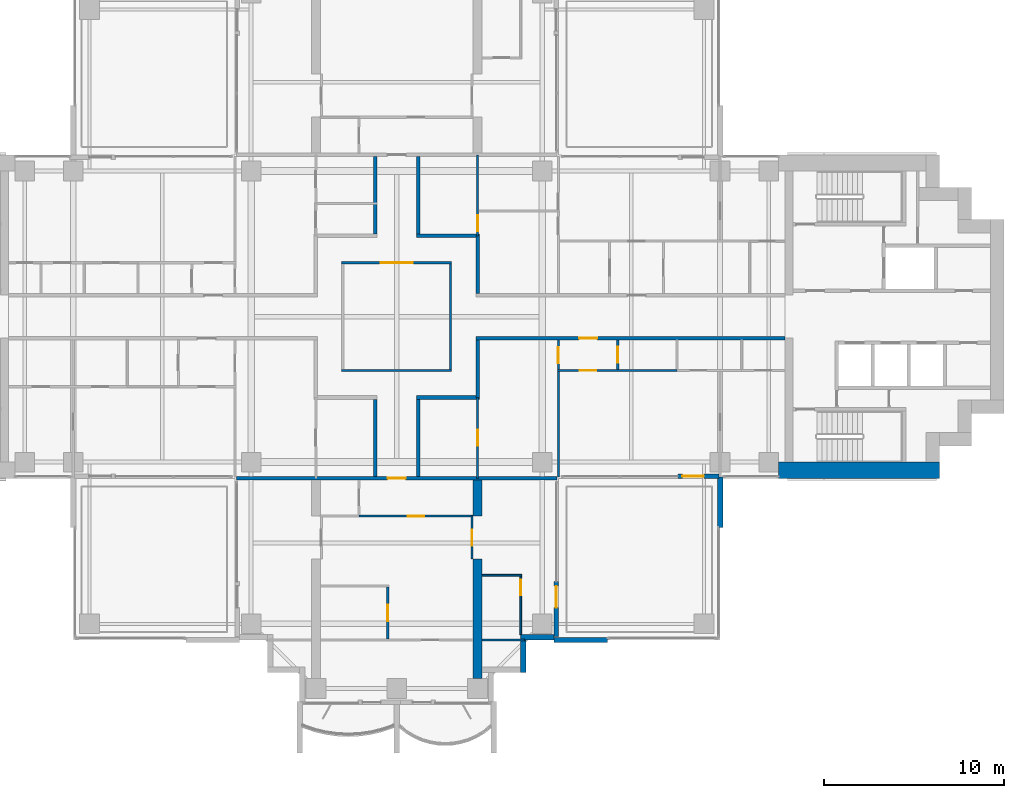
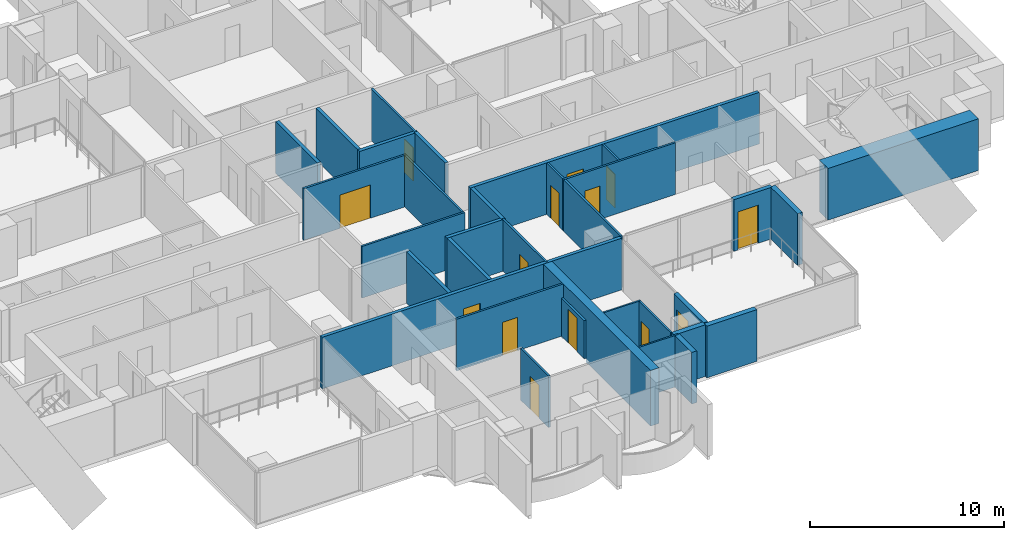
# One storey, part 11 of 19: 32 walls, 14 doors, 14 openings.
"""IFC4 building model written with IfcOpenShell, lengths in metres."""

from ifc_helpers import new_model, si_unit, direction, frame, frame_2d, origin, place, context, subcontext, project, spatial, polyline, rectangle, outline, extrude, material, layer, layer_set, material_profile, profile_set, type_object, element, fill, save


model = new_model("IFC4")

# Units and contexts
model_context = context("Model", 3, precision=1e-05, world=origin(), true_north=direction((0.0, 1.0)))
body_context = subcontext(model_context, "Body", "Model", "MODEL_VIEW")
ifc_project = project(units=[si_unit("LENGTHUNIT", "METRE"), si_unit("AREAUNIT", "SQUARE_METRE"), si_unit("VOLUMEUNIT", "CUBIC_METRE"), si_unit("PLANEANGLEUNIT", "RADIAN"), si_unit("MASSUNIT", "GRAM", prefix="KILO")], contexts=[model_context])

# Site, building, storey
site_placement = place(None, origin())
site = spatial("IfcSite", under=ifc_project, at=site_placement, CompositionType="ELEMENT")
building_placement = place(site_placement, origin())
building = spatial("IfcBuilding", under=site, at=building_placement, Name="Perihelion Cross Residences", CompositionType="ELEMENT")
storey_placement = place(building_placement, frame((0.0, 0.0, 126.89990234375)))
storey = spatial("IfcBuildingStorey", under=building, at=storey_placement, Name="L30", CompositionType="ELEMENT", Elevation=126.89990234375)

# Walls
ifc_material_1 = material(Name="Plasterboard partition")
ifc_layer_1 = layer(ifc_material_1, 0.199951171875)
ifc_layer_set_1 = layer_set([ifc_layer_1], Name="Apartment separation wall 200")
wall_type_1 = type_object("IfcWallType", Name="Apartment separation wall 200", PredefinedType="PARTITIONING", material=ifc_layer_set_1)
wall_1_placement = place(storey_placement, frame((4.5, 4.5, 0.0), z_axis=(0.0, 0.0, 1.0), x_axis=(0.0, -1.0, 0.0)))
element("IfcWall", 1, at=wall_1_placement, inside=storey, type_object=wall_type_1, Name="Partition L30 W006", PredefinedType="PARTITIONING", context=body_context, shape_type="SweptSolid", body=[
    extrude(rectangle(XDim=3.199951171875, YDim=0.199951171875, at=frame_2d((1.60009765625, 0.0))), origin(), (0.0, 0.0, 1.0), 3.25),
])
wall_2_placement = place(storey_placement, frame((1.199951171875, 8.89990234375, 0.0), z_axis=(0.0, 0.0, 1.0), x_axis=(0.0, -1.0, 0.0)))
element("IfcWall", 2, at=wall_2_placement, inside=storey, type_object=wall_type_1, Name="Partition L30 W007", PredefinedType="PARTITIONING", context=body_context, shape_type="SweptSolid", body=[
    extrude(rectangle(XDim=4.2998046875, YDim=0.199951171875, at=frame_2d((2.14990234375, 0.0))), origin(), (0.0, 0.0, 1.0), 3.25),
])
wall_3_placement = place(storey_placement, frame((1.10009765625, 4.5, 0.0), z_axis=(0.0, 0.0, 1.0), x_axis=(1.0, 0.0, 0.0)))
element("IfcWall", 3, at=wall_3_placement, inside=storey, type_object=wall_type_1, Name="Partition L30 W008", PredefinedType="PARTITIONING", context=body_context, shape_type="SweptSolid", body=[
    extrude(rectangle(XDim=3.5, YDim=0.199951171875, at=frame_2d((1.75, 0.0))), origin(), (0.0, 0.0, 1.0), 3.25),
])

# Wall, opening, door
wall_4_placement = place(storey_placement, frame((21.60009765625, -1.199951171875, 0.0), z_axis=(0.0, 0.0, 1.0), x_axis=(-1.0, 0.0, 0.0)))
wall_4 = element("IfcWall", 4, at=wall_4_placement, inside=storey, type_object=wall_type_1, Name="Partition L30 W009", PredefinedType="PARTITIONING", context=body_context, shape_type="SweptSolid", body=[
    extrude(rectangle(XDim=17.2001953125, YDim=0.199951171875, at=frame_2d((8.60009765625, 0.0))), origin(), (0.0, 0.0, 1.0), 3.25),
])
opening_1_placement = place(wall_4_placement, frame((10.449951171875, 0.0, 0.0)))
opening_1 = element("IfcOpeningElement", 5, at=opening_1_placement, cuts=wall_4, Name="Opening L30.A46", PredefinedType="OPENING", context=body_context, shape_type="SweptSolid", body=[
    extrude(rectangle(XDim=1.0, YDim=2.10009765625, at=frame_2d((0.5, 1.050048828125))), frame((0.0, 0.10986328125, 0.0), z_axis=(0.0, -1.0, 0.0), x_axis=(1.0, 0.0, 0.0)), (0.0, 0.0, 1.0), 0.219970703125),
])
ifc_material_2 = material(Name="Timber door leaf", Category="wood")
door_type_1 = type_object("IfcDoorType", Name="Flat entrance door 1000 x 2100", OperationType="SINGLE_SWING_LEFT", PredefinedType="DOOR", material=ifc_material_2)
door_1_placement = place(opening_1_placement, origin())
door_1 = element("IfcDoor", 6, at=door_1_placement, inside=storey, type_object=door_type_1, Name="Door L30.A46", OperationType="SINGLE_SWING_RIGHT", OverallHeight=2.10009765625, OverallWidth=1.0, PredefinedType="DOOR", context=body_context, shape_type="SweptSolid", body=[
    extrude(rectangle(XDim=1.0, YDim=2.10009765625, at=frame_2d((0.5, 1.050048828125))), frame((0.0, 0.02490234375, 0.0), z_axis=(0.0, -1.0, 0.0), x_axis=(1.0, 0.0, 0.0)), (0.0, 0.0, 1.0), 0.050048828125),
])
fill(opening_1, door_1)

# Walls
wall_5_placement = place(storey_placement, frame((4.5, -1.300048828125, 0.0), z_axis=(0.0, 0.0, 1.0), x_axis=(0.0, -1.0, 0.0)))
element("IfcWall", 7, at=wall_5_placement, inside=storey, type_object=wall_type_1, Name="Partition L30 W010", PredefinedType="PARTITIONING", context=body_context, shape_type="SweptSolid", body=[
    extrude(rectangle(XDim=3.199951171875, YDim=0.199951171875, at=frame_2d((1.60009765625, 0.0))), origin(), (0.0, 0.0, 1.0), 3.25),
])
wall_6_placement = place(storey_placement, frame((4.60009765625, -4.5, 0.0), z_axis=(0.0, 0.0, 1.0), x_axis=(-1.0, 0.0, 0.0)))
element("IfcWall", 8, at=wall_6_placement, inside=storey, type_object=wall_type_1, Name="Partition L30 W011", PredefinedType="PARTITIONING", context=body_context, shape_type="SweptSolid", body=[
    extrude(rectangle(XDim=3.5, YDim=0.199951171875, at=frame_2d((1.75, 0.0))), origin(), (0.0, 0.0, 1.0), 3.25),
])
for number, where, z_axis, x_axis, name in (
    (9, (1.199951171875, -4.60009765625, 0.0), (0.0, 0.0, 1.0), (0.0, -1.0, 0.0), "Partition L30 W012"),
    (10, (-1.199951171875, 4.60009765625, 0.0), (0.0, 0.0, 1.0), (0.0, 1.0, 0.0), "Partition L30 W016"),
    (11, (-1.199951171875, -8.89990234375, 0.0), (0.0, 0.0, 1.0), (0.0, 1.0, 0.0), "Partition L30 W019"),
):
    element("IfcWall", number, at=place(storey_placement, frame(where, z_axis=z_axis, x_axis=x_axis)), inside=storey, type_object=wall_type_1, Name=name, PredefinedType="PARTITIONING", context=body_context, shape_type="SweptSolid", body=[
        extrude(rectangle(XDim=4.2998046875, YDim=0.199951171875, at=frame_2d((2.14990234375, 0.0))), origin(), (0.0, 0.0, 1.0), 3.25),
    ])

# Wall, opening, door
wall_7_placement = place(storey_placement, frame((8.919921875, -9.0, 0.0), z_axis=(0.0, 0.0, 1.0), x_axis=(-1.0, 0.0, 0.0)))
wall_7 = element("IfcWall", 12, at=wall_7_placement, inside=storey, type_object=wall_type_1, Name="Partition L30 W022", PredefinedType="PARTITIONING", context=body_context, shape_type="SweptSolid", body=[
    extrude(rectangle(XDim=17.83984375, YDim=0.199951171875, at=frame_2d((8.919921875, 0.0))), origin(), (0.0, 0.0, 1.0), 3.25),
])
opening_2_placement = place(wall_7_placement, frame((8.419921875, 0.0, 0.0)))
opening_2 = element("IfcOpeningElement", 13, at=opening_2_placement, cuts=wall_7, Name="Opening L30.A39", PredefinedType="OPENING", context=body_context, shape_type="SweptSolid", body=[
    extrude(rectangle(XDim=1.0, YDim=2.10009765625, at=frame_2d((0.5, 1.050048828125))), frame((0.0, 0.10986328125, 0.0), z_axis=(0.0, -1.0, 0.0), x_axis=(1.0, 0.0, 0.0)), (0.0, 0.0, 1.0), 0.219970703125),
])
door_2_placement = place(opening_2_placement, origin())
door_2 = element("IfcDoor", 14, at=door_2_placement, inside=storey, type_object=door_type_1, Name="Door L30.A39", OperationType="SINGLE_SWING_LEFT", OverallHeight=2.10009765625, OverallWidth=1.0, PredefinedType="DOOR", context=body_context, shape_type="SweptSolid", body=[
    extrude(rectangle(XDim=1.0, YDim=2.10009765625, at=frame_2d((0.5, 1.050048828125))), frame((0.0, 0.02490234375, 0.0), z_axis=(0.0, -1.0, 0.0), x_axis=(1.0, 0.0, 0.0)), (0.0, 0.0, 1.0), 0.050048828125),
])
fill(opening_2, door_2)

ifc_material_3 = material(Name="Concrete C30/37, bronze-clad", Category="concrete")
ifc_layer_2 = layer(ifc_material_3, 0.25)
ifc_layer_set_2 = layer_set([ifc_layer_2], Name="Bronze-clad pier wall 250")
wall_type_2 = type_object("IfcWallType", Name="Bronze-clad pier wall 250", PredefinedType="SOLIDWALL", material=ifc_layer_set_2)
wall_8_placement = place(storey_placement, frame((8.875, -17.800048828125, 0.0), z_axis=(0.0, 0.0, 1.0), x_axis=(0.0, 1.0, 0.0)))
wall_8 = element("IfcWall", 15, at=wall_8_placement, inside=storey, type_object=wall_type_2, Name="Wall FW1 L30 south side east bay 1 pier", PredefinedType="SOLIDWALL", context=body_context, shape_type="SweptSolid", body=[
    extrude(rectangle(XDim=3.050048828125, YDim=0.25, at=frame_2d((1.52490234375, 0.0))), origin(), (0.0, 0.0, 1.0), 3.25),
])
opening_3_placement = place(wall_8_placement, frame((1.60009765625, 0.0, 0.0)))
opening_3 = element("IfcOpeningElement", 16, at=opening_3_placement, cuts=wall_8, Name="Opening L30.E13", PredefinedType="OPENING", context=body_context, shape_type="SweptSolid", body=[
    extrude(rectangle(XDim=1.199951171875, YDim=2.39990234375, at=frame_2d((0.60009765625, 1.199951171875))), frame((0.0, 0.135009765625, 0.0), z_axis=(0.0, -1.0, 0.0), x_axis=(1.0, 0.0, 0.0)), (0.0, 0.0, 1.0), 0.27001953125),
])
ifc_material_4 = material(Name="Bronze anodised aluminium, glazed", Category="aluminium")
door_type_2 = type_object("IfcDoorType", Name="Balcony door 1200 x 2400", OperationType="NOTDEFINED", PredefinedType="DOOR", material=ifc_material_4)
door_3_placement = place(opening_3_placement, origin())
door_3 = element("IfcDoor", 17, at=door_3_placement, inside=storey, type_object=door_type_2, Name="Door L30.E13 south side east bay 1", OperationType="SINGLE_SWING_RIGHT", OverallHeight=2.39990234375, OverallWidth=1.199951171875, PredefinedType="DOOR", context=body_context, shape_type="SweptSolid", body=[
    extrude(rectangle(XDim=1.199951171875, YDim=2.39990234375, at=frame_2d((0.60009765625, 1.199951171875))), frame((0.0, 0.02490234375, 0.0), z_axis=(0.0, -1.0, 0.0), x_axis=(1.0, 0.0, 0.0)), (0.0, 0.0, 1.0), 0.050048828125),
])
fill(opening_3, door_3)

wall_9_placement = place(storey_placement, frame((15.64990234375, -8.875, 0.0), z_axis=(0.0, 0.0, 1.0), x_axis=(1.0, 0.0, 0.0)))
wall_9 = element("IfcWall", 18, at=wall_9_placement, inside=storey, type_object=wall_type_2, Name="Wall FW1 L30 east side south bay 1 pier", PredefinedType="SOLIDWALL", context=body_context, shape_type="SweptSolid", body=[
    extrude(rectangle(XDim=2.2900390625, YDim=0.25, at=frame_2d((1.14501953125, 0.0))), origin(), (0.0, 0.0, 1.0), 3.25),
])
opening_4_placement = place(wall_9_placement, frame((0.25, 0.0, 0.0)))
opening_4 = element("IfcOpeningElement", 19, at=opening_4_placement, cuts=wall_9, Name="Opening L30.E14", PredefinedType="OPENING", context=body_context, shape_type="SweptSolid", body=[
    extrude(rectangle(XDim=1.199951171875, YDim=2.39990234375, at=frame_2d((0.60009765625, 1.199951171875))), frame((0.0, 0.135009765625, 0.0), z_axis=(0.0, -1.0, 0.0), x_axis=(1.0, 0.0, 0.0)), (0.0, 0.0, 1.0), 0.27001953125),
])
door_4_placement = place(opening_4_placement, origin())
door_4 = element("IfcDoor", 20, at=door_4_placement, inside=storey, type_object=door_type_2, Name="Door L30.E14 east side south bay 1", OperationType="SINGLE_SWING_LEFT", OverallHeight=2.39990234375, OverallWidth=1.199951171875, PredefinedType="DOOR", context=body_context, shape_type="SweptSolid", body=[
    extrude(rectangle(XDim=1.199951171875, YDim=2.39990234375, at=frame_2d((0.60009765625, 1.199951171875))), frame((0.0, 0.02490234375, 0.0), z_axis=(0.0, -1.0, 0.0), x_axis=(1.0, 0.0, 0.0)), (0.0, 0.0, 1.0), 0.050048828125),
])
fill(opening_4, door_4)

# Walls
ifc_material_5 = material(Name="Concrete C30/37, bronze-clad", Category="concrete")
ifc_layer_3 = layer(ifc_material_5, 0.300048828125)
ifc_layer_set_3 = layer_set([ifc_layer_3], Name="Bronze-clad serration wall 300")
wall_type_3 = type_object("IfcWallType", Name="Bronze-clad serration wall 300", PredefinedType="SOLIDWALL", material=ifc_layer_set_3)
wall_10_placement = place(storey_placement, frame((7.050048828125, -19.800048828125, 0.0), z_axis=(0.0, 0.0, 1.0), x_axis=(0.0, 1.0, 0.0)))
element("IfcWall", 21, at=wall_10_placement, inside=storey, type_object=wall_type_3, Name="Wall SR1 L30 south corner south-east 3", PredefinedType="SOLIDWALL", context=body_context, shape_type="SweptSolid", body=[
    extrude(rectangle(XDim=1.800048828125, YDim=0.300048828125, at=frame_2d((0.89990234375, 0.0))), origin(), (0.0, 0.0, 1.0), 3.25),
])
wall_11_placement = place(storey_placement, frame((6.89990234375, -17.85009765625, 0.0), z_axis=(0.0, 0.0, 1.0), x_axis=(1.0, 0.0, 0.0)))
element("IfcWall", 22, at=wall_11_placement, inside=storey, type_object=wall_type_3, Name="Wall SR1 L30 south corner south-east 4", PredefinedType="SOLIDWALL", context=body_context, shape_type="SweptSolid", body=[
    extrude(rectangle(XDim=1.85009765625, YDim=0.300048828125, at=frame_2d((0.925048828125, 0.0))), origin(), (0.0, 0.0, 1.0), 3.25),
])
ifc_material_6 = material(Name="Concrete C60/75", Category="concrete")
ifc_layer_4 = layer(ifc_material_6, 0.89990234375)
ifc_layer_set_4 = layer_set([ifc_layer_4], Name="Core wall, outer 900")
wall_type_4 = type_object("IfcWallType", Name="Core wall, outer 900", PredefinedType="SHEAR", material=ifc_layer_set_4)
wall_12_placement = place(storey_placement, frame((21.25, -8.550048828125, 0.0), z_axis=(0.0, 0.0, 1.0), x_axis=(1.0, 0.0, 0.0)))
element("IfcWall", 23, at=wall_12_placement, inside=storey, type_object=wall_type_4, Name="East core core wall, outer", PredefinedType="SHEAR", context=body_context, shape_type="SweptSolid", body=[
    extrude(rectangle(XDim=8.949951171875, YDim=0.89990234375, at=frame_2d((4.47509765625, 0.0))), origin(), (0.0, 0.0, 1.0), 3.25),
])

# Wall, opening, door
ifc_material_7 = material(Name="Plasterboard partition")
ifc_layer_5 = layer(ifc_material_7, 0.1201171875)
ifc_layer_set_5 = layer_set([ifc_layer_5], Name="Infill panel 120")
wall_type_5 = type_object("IfcWallType", Name="Infill panel 120", PredefinedType="PARTITIONING", material=ifc_layer_set_5)
wall_13_placement = place(storey_placement, frame((4.18994140625, -11.10009765625, 0.0), z_axis=(0.0, 0.0, 1.0), x_axis=(0.0, -1.0, 0.0)))
wall_13 = element("IfcWall", 24, at=wall_13_placement, inside=storey, type_object=wall_type_5, Name="Partition L30 WI05", PredefinedType="PARTITIONING", context=body_context, shape_type="SweptSolid", body=[
    extrude(rectangle(XDim=2.39990234375, YDim=0.1201171875, at=frame_2d((1.199951171875, 0.0))), origin(), (0.0, 0.0, 1.0), 2.400146484375),
])
opening_5_placement = place(wall_13_placement, frame((0.75, 0.0, 0.0)))
opening_5 = element("IfcOpeningElement", 25, at=opening_5_placement, cuts=wall_13, Name="Opening L30.A53", PredefinedType="OPENING", context=body_context, shape_type="SweptSolid", body=[
    extrude(rectangle(XDim=0.89990234375, YDim=2.10009765625, at=frame_2d((0.449951171875, 1.050048828125))), frame((0.0, 0.070068359375, 0.0), z_axis=(0.0, -1.0, 0.0), x_axis=(1.0, 0.0, 0.0)), (0.0, 0.0, 1.0), 0.14013671875),
])
ifc_material_8 = material(Name="Timber door leaf", Category="wood")
door_type_3 = type_object("IfcDoorType", Name="Interior room door 900 x 2100", OperationType="SINGLE_SWING_LEFT", PredefinedType="DOOR", material=ifc_material_8)
door_5_placement = place(opening_5_placement, origin())
door_5 = element("IfcDoor", 26, at=door_5_placement, inside=storey, type_object=door_type_3, Name="Door L30.A53", OperationType="SINGLE_SWING_RIGHT", OverallHeight=2.10009765625, OverallWidth=0.89990234375, PredefinedType="DOOR", context=body_context, shape_type="SweptSolid", body=[
    extrude(rectangle(XDim=0.89990234375, YDim=2.10009765625, at=frame_2d((0.449951171875, 1.050048828125))), frame((0.0, 0.02490234375, 0.0), z_axis=(0.0, -1.0, 0.0), x_axis=(1.0, 0.0, 0.0)), (0.0, 0.0, 1.0), 0.050048828125),
])
fill(opening_5, door_5)

# Walls
ifc_material_9 = material(Name="Plasterboard partition")
ifc_layer_6 = layer(ifc_material_9, 0.1201171875)
ifc_layer_set_6 = layer_set([ifc_layer_6], Name="Partition wall 120")
wall_type_6 = type_object("IfcWallType", Name="Partition wall 120", PredefinedType="PARTITIONING", material=ifc_layer_set_6)
wall_14_placement = place(storey_placement, frame((-3.06005859375, -3.0, 0.0), z_axis=(0.0, 0.0, 1.0), x_axis=(1.0, 0.0, 0.0)))
element("IfcWall", 27, at=wall_14_placement, inside=storey, type_object=wall_type_6, Name="Partition L30 W001", PredefinedType="PARTITIONING", context=body_context, shape_type="SweptSolid", body=[
    extrude(rectangle(XDim=6.1201171875, YDim=0.1201171875, at=frame_2d((3.06005859375, 0.0))), origin(), (0.0, 0.0, 1.0), 3.25),
])
wall_15_placement = place(storey_placement, frame((3.0, -2.93994140625, 0.0), z_axis=(0.0, 0.0, 1.0), x_axis=(0.0, 1.0, 0.0)))
element("IfcWall", 28, at=wall_15_placement, inside=storey, type_object=wall_type_6, Name="Partition L30 W002", PredefinedType="PARTITIONING", context=body_context, shape_type="SweptSolid", body=[
    extrude(rectangle(XDim=5.8798828125, YDim=0.1201171875, at=frame_2d((2.93994140625, 0.0))), origin(), (0.0, 0.0, 1.0), 3.25),
])

# Wall, opening, door
wall_16_placement = place(storey_placement, frame((3.06005859375, 3.0, 0.0), z_axis=(0.0, 0.0, 1.0), x_axis=(-1.0, 0.0, 0.0)))
wall_16 = element("IfcWall", 29, at=wall_16_placement, inside=storey, type_object=wall_type_6, Name="Partition L30 W003", PredefinedType="PARTITIONING", context=body_context, shape_type="SweptSolid", body=[
    extrude(rectangle(XDim=6.1201171875, YDim=0.1201171875, at=frame_2d((3.06005859375, 0.0))), origin(), (0.0, 0.0, 1.0), 3.25),
])
opening_6_placement = place(wall_16_placement, frame((2.159912109375, 0.0, 0.0)))
opening_6 = element("IfcOpeningElement", 30, at=opening_6_placement, cuts=wall_16, Name="Opening L30.A01", PredefinedType="OPENING", context=body_context, shape_type="SweptSolid", body=[
    extrude(rectangle(XDim=1.800048828125, YDim=2.10009765625, at=frame_2d((0.89990234375, 1.050048828125))), frame((0.0, 0.070068359375, 0.0), z_axis=(0.0, -1.0, 0.0), x_axis=(1.0, 0.0, 0.0)), (0.0, 0.0, 1.0), 0.14013671875),
])
ifc_material_10 = material(Name="Glazed timber door leaf", Category="wood")
door_type_4 = type_object("IfcDoorType", Name="Interior double leaf door 1800 x 2100", OperationType="DOUBLE_DOOR_SINGLE_SWING", PredefinedType="DOOR", material=ifc_material_10)
door_6_placement = place(opening_6_placement, origin())
door_6 = element("IfcDoor", 31, at=door_6_placement, inside=storey, type_object=door_type_4, Name="Door L30.A01", OperationType="SINGLE_SWING_LEFT", OverallHeight=2.10009765625, OverallWidth=1.800048828125, PredefinedType="DOOR", context=body_context, shape_type="SweptSolid", body=[
    extrude(rectangle(XDim=1.800048828125, YDim=2.10009765625, at=frame_2d((0.89990234375, 1.050048828125))), frame((0.0, 0.02490234375, 0.0), z_axis=(0.0, -1.0, 0.0), x_axis=(1.0, 0.0, 0.0)), (0.0, 0.0, 1.0), 0.050048828125),
])
fill(opening_6, door_6)

wall_17_placement = place(storey_placement, frame((4.5, 4.5, 0.0), z_axis=(0.0, 0.0, 1.0), x_axis=(0.0, 1.0, 0.0)))
wall_17 = element("IfcWall", 32, at=wall_17_placement, inside=storey, type_object=wall_type_6, Name="Partition L30 W031", PredefinedType="PARTITIONING", context=body_context, shape_type="SweptSolid", body=[
    extrude(rectangle(XDim=4.5, YDim=0.1201171875, at=frame_2d((2.25, 0.0))), origin(), (0.0, 0.0, 1.0), 3.25),
])
opening_7_placement = place(wall_17_placement, frame((0.239990234375, 0.0, 0.0)))
opening_7 = element("IfcOpeningElement", 33, at=opening_7_placement, cuts=wall_17, Name="Opening L30.A03", PredefinedType="OPENING", context=body_context, shape_type="SweptSolid", body=[
    extrude(rectangle(XDim=0.89990234375, YDim=2.10009765625, at=frame_2d((0.449951171875, 1.050048828125))), frame((0.0, 0.070068359375, 0.0), z_axis=(0.0, -1.0, 0.0), x_axis=(1.0, 0.0, 0.0)), (0.0, 0.0, 1.0), 0.14013671875),
])
door_7_placement = place(opening_7_placement, origin())
door_7 = element("IfcDoor", 34, at=door_7_placement, inside=storey, type_object=door_type_3, Name="Door L30.A03", OperationType="SINGLE_SWING_LEFT", OverallHeight=2.10009765625, OverallWidth=0.89990234375, PredefinedType="DOOR", context=body_context, shape_type="SweptSolid", body=[
    extrude(rectangle(XDim=0.89990234375, YDim=2.10009765625, at=frame_2d((0.449951171875, 1.050048828125))), frame((0.0, 0.02490234375, 0.0), z_axis=(0.0, -1.0, 0.0), x_axis=(1.0, 0.0, 0.0)), (0.0, 0.0, 1.0), 0.050048828125),
])
fill(opening_7, door_7)

wall_18_placement = place(storey_placement, frame((12.300048828125, -1.300048828125, 0.0), z_axis=(0.0, 0.0, 1.0), x_axis=(0.0, -1.0, 0.0)))
wall_18 = element("IfcWall", 35, at=wall_18_placement, inside=storey, type_object=wall_type_6, Name="Partition L30 W032", PredefinedType="PARTITIONING", context=body_context, shape_type="SweptSolid", body=[
    extrude(rectangle(XDim=1.639892578125, YDim=0.1201171875, at=frame_2d((0.81982421875, 0.0))), origin(), (0.0, 0.0, 1.0), 3.25),
])
opening_8_placement = place(wall_18_placement, frame((0.3701171875, 0.0, 0.0)))
opening_8 = element("IfcOpeningElement", 36, at=opening_8_placement, cuts=wall_18, Name="Opening L30.A12", PredefinedType="OPENING", context=body_context, shape_type="SweptSolid", body=[
    extrude(rectangle(XDim=0.89990234375, YDim=2.10009765625, at=frame_2d((0.449951171875, 1.050048828125))), frame((0.0, 0.070068359375, 0.0), z_axis=(0.0, -1.0, 0.0), x_axis=(1.0, 0.0, 0.0)), (0.0, 0.0, 1.0), 0.14013671875),
])
door_8_placement = place(opening_8_placement, origin())
door_8 = element("IfcDoor", 37, at=door_8_placement, inside=storey, type_object=door_type_3, Name="Door L30.A12", OperationType="SINGLE_SWING_RIGHT", OverallHeight=2.10009765625, OverallWidth=0.89990234375, PredefinedType="DOOR", context=body_context, shape_type="SweptSolid", body=[
    extrude(rectangle(XDim=0.89990234375, YDim=2.10009765625, at=frame_2d((0.449951171875, 1.050048828125))), frame((0.0, 0.02490234375, 0.0), z_axis=(0.0, -1.0, 0.0), x_axis=(1.0, 0.0, 0.0)), (0.0, 0.0, 1.0), 0.050048828125),
])
fill(opening_8, door_8)

wall_19_placement = place(storey_placement, frame((15.60009765625, -3.0, 0.0), z_axis=(0.0, 0.0, 1.0), x_axis=(-1.0, 0.0, 0.0)))
wall_19 = element("IfcWall", 38, at=wall_19_placement, inside=storey, type_object=wall_type_6, Name="Partition L30 W033", PredefinedType="PARTITIONING", context=body_context, shape_type="SweptSolid", body=[
    extrude(rectangle(XDim=6.66015625, YDim=0.1201171875, at=frame_2d((3.330078125, 0.0))), origin(), (0.0, 0.0, 1.0), 3.25),
])
opening_9_placement = place(wall_19_placement, frame((4.5, 0.0, 0.0)))
opening_9 = element("IfcOpeningElement", 39, at=opening_9_placement, cuts=wall_19, Name="Opening L30.A13", PredefinedType="OPENING", context=body_context, shape_type="SweptSolid", body=[
    extrude(rectangle(XDim=0.89990234375, YDim=2.10009765625, at=frame_2d((0.449951171875, 1.050048828125))), frame((0.0, 0.070068359375, 0.0), z_axis=(0.0, -1.0, 0.0), x_axis=(1.0, 0.0, 0.0)), (0.0, 0.0, 1.0), 0.14013671875),
])
door_9_placement = place(opening_9_placement, origin())
door_9 = element("IfcDoor", 40, at=door_9_placement, inside=storey, type_object=door_type_3, Name="Door L30.A13", OperationType="SINGLE_SWING_RIGHT", OverallHeight=2.10009765625, OverallWidth=0.89990234375, PredefinedType="DOOR", context=body_context, shape_type="SweptSolid", body=[
    extrude(rectangle(XDim=0.89990234375, YDim=2.10009765625, at=frame_2d((0.449951171875, 1.050048828125))), frame((0.0, 0.02490234375, 0.0), z_axis=(0.0, -1.0, 0.0), x_axis=(1.0, 0.0, 0.0)), (0.0, 0.0, 1.0), 0.050048828125),
])
fill(opening_9, door_9)

wall_20_placement = place(storey_placement, frame((9.0, -8.919921875, 0.0), z_axis=(0.0, 0.0, 1.0), x_axis=(0.0, 1.0, 0.0)))
wall_20 = element("IfcWall", 41, at=wall_20_placement, inside=storey, type_object=wall_type_6, Name="Partition L30 W034", PredefinedType="PARTITIONING", context=body_context, shape_type="SweptSolid", body=[
    extrude(rectangle(XDim=7.619873046875, YDim=0.1201171875, at=frame_2d((3.81005859375, 0.0))), origin(), (0.0, 0.0, 1.0), 3.25),
])
opening_10_placement = place(wall_20_placement, frame((6.320068359375, 0.0, 0.0)))
opening_10 = element("IfcOpeningElement", 42, at=opening_10_placement, cuts=wall_20, Name="Opening L30.A16", PredefinedType="OPENING", context=body_context, shape_type="SweptSolid", body=[
    extrude(rectangle(XDim=0.89990234375, YDim=2.10009765625, at=frame_2d((0.449951171875, 1.050048828125))), frame((0.0, 0.070068359375, 0.0), z_axis=(0.0, -1.0, 0.0), x_axis=(1.0, 0.0, 0.0)), (0.0, 0.0, 1.0), 0.14013671875),
])
door_10_placement = place(opening_10_placement, origin())
door_10 = element("IfcDoor", 43, at=door_10_placement, inside=storey, type_object=door_type_3, Name="Door L30.A16", OperationType="SINGLE_SWING_RIGHT", OverallHeight=2.10009765625, OverallWidth=0.89990234375, PredefinedType="DOOR", context=body_context, shape_type="SweptSolid", body=[
    extrude(rectangle(XDim=0.89990234375, YDim=2.10009765625, at=frame_2d((0.449951171875, 1.050048828125))), frame((0.0, 0.02490234375, 0.0), z_axis=(0.0, -1.0, 0.0), x_axis=(1.0, 0.0, 0.0)), (0.0, 0.0, 1.0), 0.050048828125),
])
fill(opening_10, door_10)

wall_21_placement = place(storey_placement, frame((4.5, -9.0, 0.0), z_axis=(0.0, 0.0, 1.0), x_axis=(0.0, 1.0, 0.0)))
wall_21 = element("IfcWall", 44, at=wall_21_placement, inside=storey, type_object=wall_type_6, Name="Partition L30 W040", PredefinedType="PARTITIONING", context=body_context, shape_type="SweptSolid", body=[
    extrude(rectangle(XDim=4.5, YDim=0.1201171875, at=frame_2d((2.25, 0.0))), origin(), (0.0, 0.0, 1.0), 3.25),
])
opening_11_placement = place(wall_21_placement, frame((1.800048828125, 0.0, 0.0)))
opening_11 = element("IfcOpeningElement", 45, at=opening_11_placement, cuts=wall_21, Name="Opening L30.A11", PredefinedType="OPENING", context=body_context, shape_type="SweptSolid", body=[
    extrude(rectangle(XDim=0.89990234375, YDim=2.10009765625, at=frame_2d((0.449951171875, 1.050048828125))), frame((0.0, 0.070068359375, 0.0), z_axis=(0.0, -1.0, 0.0), x_axis=(1.0, 0.0, 0.0)), (0.0, 0.0, 1.0), 0.14013671875),
])
door_11_placement = place(opening_11_placement, origin())
door_11 = element("IfcDoor", 46, at=door_11_placement, inside=storey, type_object=door_type_3, Name="Door L30.A11", OperationType="SINGLE_SWING_RIGHT", OverallHeight=2.10009765625, OverallWidth=0.89990234375, PredefinedType="DOOR", context=body_context, shape_type="SweptSolid", body=[
    extrude(rectangle(XDim=0.89990234375, YDim=2.10009765625, at=frame_2d((0.449951171875, 1.050048828125))), frame((0.0, 0.02490234375, 0.0), z_axis=(0.0, -1.0, 0.0), x_axis=(1.0, 0.0, 0.0)), (0.0, 0.0, 1.0), 0.050048828125),
])
fill(opening_11, door_11)

wall_22_placement = place(storey_placement, frame((4.25, -11.10009765625, 0.0), z_axis=(0.0, 0.0, 1.0), x_axis=(-1.0, 0.0, 0.0)))
wall_22 = element("IfcWall", 47, at=wall_22_placement, inside=storey, type_object=wall_type_6, Name="Partition L30 W075", PredefinedType="PARTITIONING", context=body_context, shape_type="SweptSolid", body=[
    extrude(rectangle(XDim=6.35009765625, YDim=0.1201171875, at=frame_2d((3.175048828125, 0.0))), origin(), (0.0, 0.0, 1.0), 3.25),
])
opening_12_placement = place(wall_22_placement, frame((2.72509765625, 0.0, 0.0)))
opening_12 = element("IfcOpeningElement", 48, at=opening_12_placement, cuts=wall_22, Name="Opening L30.A41", PredefinedType="OPENING", context=body_context, shape_type="SweptSolid", body=[
    extrude(rectangle(XDim=0.89990234375, YDim=2.10009765625, at=frame_2d((0.449951171875, 1.050048828125))), frame((0.0, 0.070068359375, 0.0), z_axis=(0.0, -1.0, 0.0), x_axis=(1.0, 0.0, 0.0)), (0.0, 0.0, 1.0), 0.14013671875),
])
door_12_placement = place(opening_12_placement, origin())
door_12 = element("IfcDoor", 49, at=door_12_placement, inside=storey, type_object=door_type_3, Name="Door L30.A41", OperationType="SINGLE_SWING_RIGHT", OverallHeight=2.10009765625, OverallWidth=0.89990234375, PredefinedType="DOOR", context=body_context, shape_type="SweptSolid", body=[
    extrude(rectangle(XDim=0.89990234375, YDim=2.10009765625, at=frame_2d((0.449951171875, 1.050048828125))), frame((0.0, 0.02490234375, 0.0), z_axis=(0.0, -1.0, 0.0), x_axis=(1.0, 0.0, 0.0)), (0.0, 0.0, 1.0), 0.050048828125),
])
fill(opening_12, door_12)

wall_23_placement = place(storey_placement, frame((-0.5, -17.93994140625, 0.0), z_axis=(0.0, 0.0, 1.0), x_axis=(0.0, 1.0, 0.0)))
wall_23 = element("IfcWall", 50, at=wall_23_placement, inside=storey, type_object=wall_type_6, Name="Partition L30 W077", PredefinedType="PARTITIONING", context=body_context, shape_type="SweptSolid", body=[
    extrude(rectangle(XDim=2.8798828125, YDim=0.1201171875, at=frame_2d((1.43994140625, 0.0))), origin(), (0.0, 0.0, 1.0), 3.25),
])
opening_13_placement = place(wall_23_placement, frame((0.989990234375, 0.0, 0.0)))
opening_13 = element("IfcOpeningElement", 51, at=opening_13_placement, cuts=wall_23, Name="Opening L30.A42", PredefinedType="OPENING", context=body_context, shape_type="SweptSolid", body=[
    extrude(rectangle(XDim=0.89990234375, YDim=2.10009765625, at=frame_2d((0.449951171875, 1.050048828125))), frame((0.0, 0.070068359375, 0.0), z_axis=(0.0, -1.0, 0.0), x_axis=(1.0, 0.0, 0.0)), (0.0, 0.0, 1.0), 0.14013671875),
])
door_13_placement = place(opening_13_placement, origin())
door_13 = element("IfcDoor", 52, at=door_13_placement, inside=storey, type_object=door_type_3, Name="Door L30.A42", OperationType="SINGLE_SWING_RIGHT", OverallHeight=2.10009765625, OverallWidth=0.89990234375, PredefinedType="DOOR", context=body_context, shape_type="SweptSolid", body=[
    extrude(rectangle(XDim=0.89990234375, YDim=2.10009765625, at=frame_2d((0.449951171875, 1.050048828125))), frame((0.0, 0.02490234375, 0.0), z_axis=(0.0, -1.0, 0.0), x_axis=(1.0, 0.0, 0.0)), (0.0, 0.0, 1.0), 0.050048828125),
])
fill(opening_13, door_13)

# Walls
ifc_material_11 = material(Name="Precast concrete C50/60", Category="concrete")
ifc_layer_7 = layer(ifc_material_11, 0.300048828125)
ifc_layer_set_7 = layer_set([ifc_layer_7], Name="Precast concrete C50/60 blade wall 300")
wall_type_7 = type_object("IfcWallType", Name="Precast concrete C50/60 blade wall 300", PredefinedType="SOLIDWALL", material=ifc_layer_set_7)
wall_24_placement = place(storey_placement, frame((8.75, -18.0, 0.0), z_axis=(0.0, 0.0, 1.0), x_axis=(1.0, 0.0, 0.0)))
element("IfcWall", 53, at=wall_24_placement, inside=storey, type_object=wall_type_7, Name="Wall BL1 L30 no. 14", PredefinedType="SOLIDWALL", context=body_context, shape_type="SweptSolid", body=[
    extrude(rectangle(XDim=2.989990234375, YDim=0.300048828125, at=frame_2d((1.4951171875, 0.0))), origin(), (0.0, 0.0, 1.0), 3.25),
])
wall_25_placement = place(storey_placement, frame((18.0, -8.919921875, 0.0), z_axis=(0.0, 0.0, 1.0), x_axis=(0.0, -1.0, 0.0)))
element("IfcWall", 54, at=wall_25_placement, inside=storey, type_object=wall_type_7, Name="Wall BL1 L30 no. 10", PredefinedType="SOLIDWALL", context=body_context, shape_type="SweptSolid", body=[
    extrude(rectangle(XDim=2.820068359375, YDim=0.300048828125, at=frame_2d((1.41015625, 0.0))), origin(), (0.0, 0.0, 1.0), 3.25),
])
ifc_material_12 = material(Name="Concrete C60/75", Category="concrete")
ifc_material_profile = material_profile(ifc_material_12, outline(polyline([(0.0, 0.0), (6.64990234375, 0.0), (6.64990234375, 2.64990234375), (9.050048828125, 2.64990234375), (9.050048828125, 0.0), (11.14990234375, 0.0), (11.14990234375, 3.5), (0.0, 3.5), (0.0, 0.0)])), Name="Tip spine wall")
ifc_profile_set = profile_set([ifc_material_profile], Name="Concrete C60/75")
wall_type_8 = type_object("IfcWallType", Name="Tip spine wall 500 with 1 door openings 11150 long 3500 high concrete C60/75", PredefinedType="SHEAR", material=ifc_profile_set)
wall_26_placement = place(storey_placement, frame((4.25, -20.14990234375, -0.25), z_axis=(1.0, 0.0, 0.0), x_axis=(0.0, 1.0, 0.0)))
element("IfcWall", 55, at=wall_26_placement, inside=storey, type_object=wall_type_8, Name="Shear wall SW33 L30 south east", PredefinedType="SHEAR", context=body_context, shape_type="SweptSolid", body=[
    extrude(outline(polyline([(0.0, 0.0), (6.64990234375, 0.0), (6.64990234375, 2.64990234375), (9.050048828125, 2.64990234375), (9.050048828125, 0.0), (11.14990234375, 0.0), (11.14990234375, 3.5), (0.0, 3.5), (0.0, 0.0)])), origin(), (0.0, 0.0, 1.0), 0.5),
])

# Wall, opening, door
ifc_material_13 = material(Name="Plasterboard partition")
ifc_layer_8 = layer(ifc_material_13, 0.10009765625)
ifc_layer_set_8 = layer_set([ifc_layer_8], Name="Wet room wall 100")
wall_type_9 = type_object("IfcWallType", Name="Wet room wall 100", PredefinedType="PARTITIONING", material=ifc_layer_set_8)
wall_27_placement = place(storey_placement, frame((6.89990234375, -17.699951171875, 0.0), z_axis=(0.0, 0.0, 1.0), x_axis=(0.0, 1.0, 0.0)))
wall_27 = element("IfcWall", 56, at=wall_27_placement, inside=storey, type_object=wall_type_9, Name="Partition L30 W080", PredefinedType="PARTITIONING", context=body_context, shape_type="SweptSolid", body=[
    extrude(rectangle(XDim=3.25, YDim=0.10009765625, at=frame_2d((1.625, 0.0))), origin(), (0.0, 0.0, 1.0), 3.25),
])
opening_14_placement = place(wall_27_placement, frame((2.199951171875, 0.0, 0.0)))
opening_14 = element("IfcOpeningElement", 57, at=opening_14_placement, cuts=wall_27, Name="Opening L30.A44", PredefinedType="OPENING", context=body_context, shape_type="SweptSolid", body=[
    extrude(rectangle(XDim=0.85009765625, YDim=2.10009765625, at=frame_2d((0.425048828125, 1.050048828125))), frame((0.0, 0.06005859375, 0.0), z_axis=(0.0, -1.0, 0.0), x_axis=(1.0, 0.0, 0.0)), (0.0, 0.0, 1.0), 0.1201171875),
])
ifc_material_14 = material(Name="Timber door leaf", Category="wood")
door_type_5 = type_object("IfcDoorType", Name="Interior bathroom door 850 x 2100", OperationType="SINGLE_SWING_LEFT", PredefinedType="DOOR", material=ifc_material_14)
door_14_placement = place(opening_14_placement, origin())
door_14 = element("IfcDoor", 58, at=door_14_placement, inside=storey, type_object=door_type_5, Name="Door L30.A44", OperationType="SINGLE_SWING_LEFT", OverallHeight=2.10009765625, OverallWidth=0.85009765625, PredefinedType="DOOR", context=body_context, shape_type="SweptSolid", body=[
    extrude(rectangle(XDim=0.85009765625, YDim=2.10009765625, at=frame_2d((0.425048828125, 1.050048828125))), frame((0.0, 0.02490234375, 0.0), z_axis=(0.0, -1.0, 0.0), x_axis=(1.0, 0.0, 0.0)), (0.0, 0.0, 1.0), 0.050048828125),
])
fill(opening_14, door_14)

# Walls
wall_28_placement = place(storey_placement, frame((6.949951171875, -14.39990234375, 0.0), z_axis=(0.0, 0.0, 1.0), x_axis=(-1.0, 0.0, 0.0)))
element("IfcWall", 59, at=wall_28_placement, inside=storey, type_object=wall_type_9, Name="Partition L30 W081", PredefinedType="PARTITIONING", context=body_context, shape_type="SweptSolid", body=[
    extrude(rectangle(XDim=2.199951171875, YDim=0.10009765625, at=frame_2d((1.10009765625, 0.0))), origin(), (0.0, 0.0, 1.0), 3.25),
])
wall_29_placement = place(storey_placement, frame((7.1201171875, -18.0, 0.0), z_axis=(0.0, 0.0, 1.0), x_axis=(-1.0, 0.0, 0.0)))
element("IfcWall", 60, at=wall_29_placement, inside=storey, type_object=wall_type_9, Name="Partition L30 W082", PredefinedType="PARTITIONING", context=body_context, shape_type="SweptSolid", body=[
    extrude(rectangle(XDim=2.3701171875, YDim=0.10009765625, at=frame_2d((1.18505859375, 0.0))), origin(), (0.0, 0.0, 1.0), 3.25),
])

save(model, "model.ifc")
